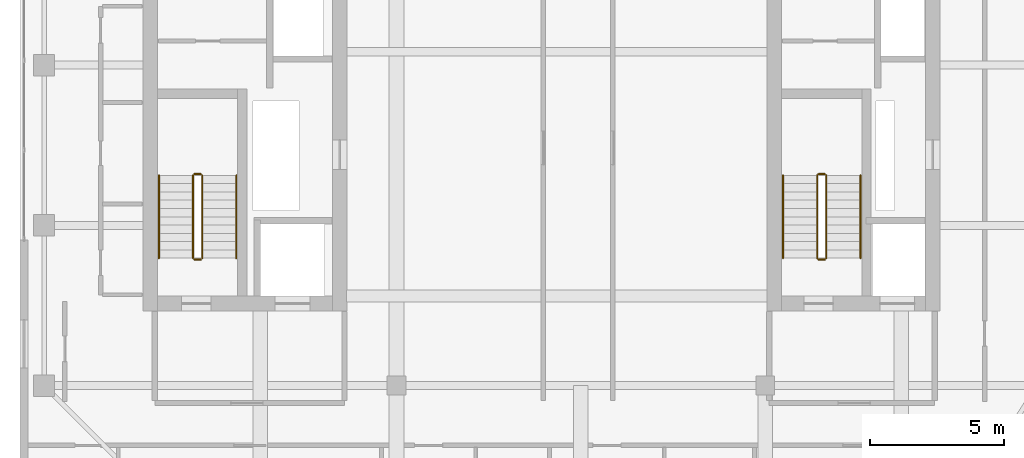
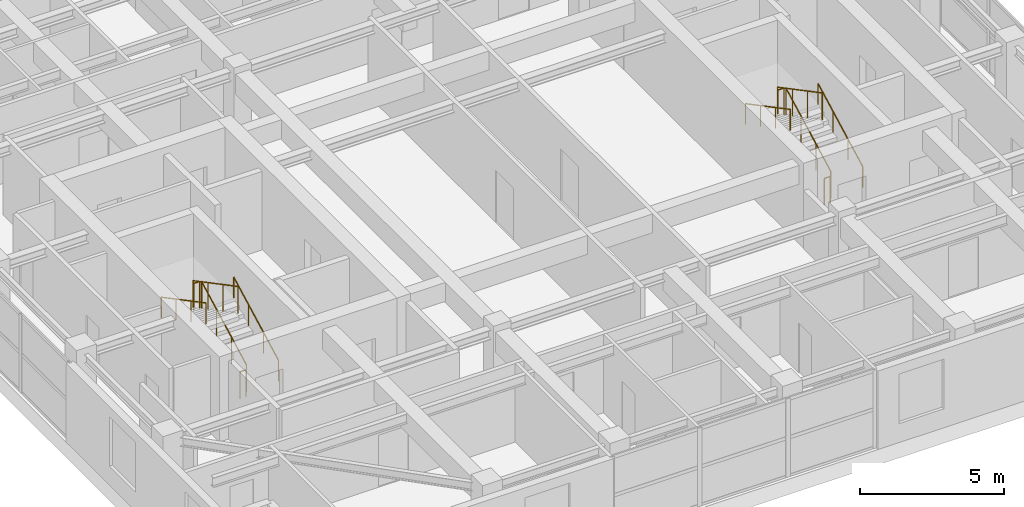
# One storey, part 21 of 21: 12 railings.
"""IFC4 building model written with IfcOpenShell, lengths in metres."""

from ifc_helpers import new_model, si_unit, direction, frame, origin, origin_2d, place, context, subcontext, project, spatial, circle, extrude, material, type_object, element, save


model = new_model("IFC4")

# Units and contexts
model_context = context("Model", 3, precision=1e-05, world=origin(), true_north=direction((0.0, 1.0)))
body_context = subcontext(model_context, "Body", "Model", "MODEL_VIEW")
ifc_project = project(units=[si_unit("LENGTHUNIT", "METRE"), si_unit("AREAUNIT", "SQUARE_METRE"), si_unit("VOLUMEUNIT", "CUBIC_METRE"), si_unit("PLANEANGLEUNIT", "RADIAN"), si_unit("MASSUNIT", "GRAM", prefix="KILO")], contexts=[model_context])

# Site, building, storey
site_placement = place(None, origin())
site = spatial("IfcSite", under=ifc_project, at=site_placement, CompositionType="ELEMENT")
building_placement = place(site_placement, origin())
building = spatial("IfcBuilding", under=site, at=building_placement, Name="Khoralis Quay Care Tower", CompositionType="ELEMENT")
storey_placement = place(building_placement, frame((0.0, 0.0, 267.300048828125)))
storey = spatial("IfcBuildingStorey", under=building, at=storey_placement, Name="L70", CompositionType="ELEMENT", Elevation=267.300048828125)

# Railings
ifc_material = material(Name="Brushed stainless steel", Category="steel")
railing_type_1 = type_object("IfcRailingType", Name="RL-GUARD-1150", PredefinedType="GUARDRAIL", material=ifc_material)
railing_1_placement = place(storey_placement, frame((9.820068359375, 16.77001953125, 0.16357421875)))
element("IfcRailing", 1, at=railing_1_placement, inside=storey, type_object=railing_type_1, Name="L70 ST-T1 stair guard 1", PredefinedType="GUARDRAIL", context=body_context, shape_type="SweptSolid", body=[
    extrude(circle(Radius=0.02392578125, at=origin_2d()), frame((0.0, 0.0, 1.1259765625), z_axis=(0.0, 0.884348015382, 0.466828220752), x_axis=(-1.0, 0.0, 0.0)), (0.0, 0.0, 1.0), 3.505615234375),
    extrude(circle(Radius=0.02099609375, at=origin_2d()), origin(), (0.0, 0.0, 1.0), 1.101806640625),
    extrude(circle(Radius=0.02099609375, at=origin_2d()), frame((0.0, 1.033447265625, 0.54541015625)), (0.0, 0.0, 1.0), 1.101806640625),
    extrude(circle(Radius=0.02099609375, at=origin_2d()), frame((0.0, 2.066650390625, 1.091064453125)), (0.0, 0.0, 1.0), 1.101806640625),
    extrude(circle(Radius=0.02099609375, at=origin_2d()), frame((0.0, 3.10009765625, 1.636474609375)), (0.0, 0.0, 1.0), 1.101806640625),
])
railing_2_placement = place(storey_placement, frame((9.77001953125, 19.919921875, 1.800048828125)))
element("IfcRailing", 2, at=railing_2_placement, inside=storey, type_object=railing_type_1, Name="L70 ST-T1 stair guard 2", PredefinedType="GUARDRAIL", context=body_context, shape_type="SweptSolid", body=[
    extrude(circle(Radius=0.02392578125, at=origin_2d()), frame((0.0, 0.0, 1.1259765625), z_axis=(-1.0, 0.0, 0.0), x_axis=(0.0, -1.0, 0.0)), (0.0, 0.0, 1.0), 0.239990234375),
    extrude(circle(Radius=0.02099609375, at=origin_2d()), origin(), (0.0, 0.0, 1.0), 1.101806640625),
    extrude(circle(Radius=0.02099609375, at=origin_2d()), frame((-0.239990234375, 0.0, 0.0)), (0.0, 0.0, 1.0), 1.101806640625),
])
railing_3_placement = place(storey_placement, frame((9.47998046875, 19.8701171875, 1.963623046875)))
element("IfcRailing", 3, at=railing_3_placement, inside=storey, type_object=railing_type_1, Name="L70 ST-T1 stair guard 3", PredefinedType="GUARDRAIL", context=body_context, shape_type="SweptSolid", body=[
    extrude(circle(Radius=0.02392578125, at=origin_2d()), frame((0.0, 0.0, 1.1259765625), z_axis=(0.0, -0.884376766648, 0.46677375099), x_axis=(1.0, 0.0, 0.0)), (0.0, 0.0, 1.0), 3.50537109375),
    extrude(circle(Radius=0.02099609375, at=origin_2d()), origin(), (0.0, 0.0, 1.0), 1.101806640625),
    extrude(circle(Radius=0.02099609375, at=origin_2d()), frame((0.0, -1.033447265625, 0.54541015625)), (0.0, 0.0, 1.0), 1.101806640625),
    extrude(circle(Radius=0.02099609375, at=origin_2d()), frame((0.0, -2.066650390625, 1.0908203125)), (0.0, 0.0, 1.0), 1.101806640625),
    extrude(circle(Radius=0.02099609375, at=origin_2d()), frame((0.0, -3.10009765625, 1.63623046875)), (0.0, 0.0, 1.0), 1.101806640625),
])
railing_4_placement = place(storey_placement, frame((9.77001953125, 16.719970703125, 0.0)))
element("IfcRailing", 4, at=railing_4_placement, inside=storey, type_object=railing_type_1, Name="L70 ST-T1 stair guard 4", PredefinedType="GUARDRAIL", context=body_context, shape_type="SweptSolid", body=[
    extrude(circle(Radius=0.02392578125, at=origin_2d()), frame((0.0, 0.0, 1.1259765625), z_axis=(-1.0, 0.0, 0.0), x_axis=(0.0, -1.0, 0.0)), (0.0, 0.0, 1.0), 0.239990234375),
    extrude(circle(Radius=0.02099609375, at=origin_2d()), origin(), (0.0, 0.0, 1.0), 1.101806640625),
    extrude(circle(Radius=0.02099609375, at=origin_2d()), frame((-0.239990234375, 0.0, 0.0)), (0.0, 0.0, 1.0), 1.101806640625),
])
railing_5_placement = place(storey_placement, frame((33.18994140625, 16.77001953125, 0.16357421875)))
element("IfcRailing", 5, at=railing_5_placement, inside=storey, type_object=railing_type_1, Name="L70 ST-T2 stair guard 1", PredefinedType="GUARDRAIL", context=body_context, shape_type="SweptSolid", body=[
    extrude(circle(Radius=0.02392578125, at=origin_2d()), frame((0.0, 0.0, 1.1259765625), z_axis=(0.0, 0.884348015382, 0.466828220752), x_axis=(-1.0, 0.0, 0.0)), (0.0, 0.0, 1.0), 3.505615234375),
    extrude(circle(Radius=0.02099609375, at=origin_2d()), origin(), (0.0, 0.0, 1.0), 1.101806640625),
    extrude(circle(Radius=0.02099609375, at=origin_2d()), frame((0.0, 1.033447265625, 0.54541015625)), (0.0, 0.0, 1.0), 1.101806640625),
    extrude(circle(Radius=0.02099609375, at=origin_2d()), frame((0.0, 2.066650390625, 1.091064453125)), (0.0, 0.0, 1.0), 1.101806640625),
    extrude(circle(Radius=0.02099609375, at=origin_2d()), frame((0.0, 3.10009765625, 1.636474609375)), (0.0, 0.0, 1.0), 1.101806640625),
])
railing_6_placement = place(storey_placement, frame((33.139892578125, 19.919921875, 1.800048828125)))
element("IfcRailing", 6, at=railing_6_placement, inside=storey, type_object=railing_type_1, Name="L70 ST-T2 stair guard 2", PredefinedType="GUARDRAIL", context=body_context, shape_type="SweptSolid", body=[
    extrude(circle(Radius=0.02392578125, at=origin_2d()), frame((0.0, 0.0, 1.1259765625), z_axis=(-1.0, 0.0, 0.0), x_axis=(0.0, -1.0, 0.0)), (0.0, 0.0, 1.0), 0.239990234375),
    extrude(circle(Radius=0.02099609375, at=origin_2d()), origin(), (0.0, 0.0, 1.0), 1.101806640625),
    extrude(circle(Radius=0.02099609375, at=origin_2d()), frame((-0.239990234375, 0.0, 0.0)), (0.0, 0.0, 1.0), 1.101806640625),
])
railing_7_placement = place(storey_placement, frame((32.85009765625, 19.8701171875, 1.963623046875)))
element("IfcRailing", 7, at=railing_7_placement, inside=storey, type_object=railing_type_1, Name="L70 ST-T2 stair guard 3", PredefinedType="GUARDRAIL", context=body_context, shape_type="SweptSolid", body=[
    extrude(circle(Radius=0.02392578125, at=origin_2d()), frame((0.0, 0.0, 1.1259765625), z_axis=(0.0, -0.884376766648, 0.46677375099), x_axis=(1.0, 0.0, 0.0)), (0.0, 0.0, 1.0), 3.50537109375),
    extrude(circle(Radius=0.02099609375, at=origin_2d()), origin(), (0.0, 0.0, 1.0), 1.101806640625),
    extrude(circle(Radius=0.02099609375, at=origin_2d()), frame((0.0, -1.033447265625, 0.54541015625)), (0.0, 0.0, 1.0), 1.101806640625),
    extrude(circle(Radius=0.02099609375, at=origin_2d()), frame((0.0, -2.066650390625, 1.0908203125)), (0.0, 0.0, 1.0), 1.101806640625),
    extrude(circle(Radius=0.02099609375, at=origin_2d()), frame((0.0, -3.10009765625, 1.63623046875)), (0.0, 0.0, 1.0), 1.101806640625),
])
railing_8_placement = place(storey_placement, frame((33.139892578125, 16.719970703125, 0.0)))
element("IfcRailing", 8, at=railing_8_placement, inside=storey, type_object=railing_type_1, Name="L70 ST-T2 stair guard 4", PredefinedType="GUARDRAIL", context=body_context, shape_type="SweptSolid", body=[
    extrude(circle(Radius=0.02392578125, at=origin_2d()), frame((0.0, 0.0, 1.1259765625), z_axis=(-1.0, 0.0, 0.0), x_axis=(0.0, -1.0, 0.0)), (0.0, 0.0, 1.0), 0.239990234375),
    extrude(circle(Radius=0.02099609375, at=origin_2d()), origin(), (0.0, 0.0, 1.0), 1.101806640625),
    extrude(circle(Radius=0.02099609375, at=origin_2d()), frame((-0.239990234375, 0.0, 0.0)), (0.0, 0.0, 1.0), 1.101806640625),
])
railing_type_2 = type_object("IfcRailingType", Name="RL-HAND-900", PredefinedType="HANDRAIL", material=ifc_material)
railing_9_placement = place(storey_placement, frame((11.10009765625, 16.77001953125, 0.16357421875)))
element("IfcRailing", 9, at=railing_9_placement, inside=storey, type_object=railing_type_2, Name="L70 ST-T1 stair handrail 1", PredefinedType="HANDRAIL", context=body_context, shape_type="SweptSolid", body=[
    extrude(circle(Radius=0.02392578125, at=origin_2d()), frame((0.0, 0.0, 0.8759765625), z_axis=(0.0, 0.884348015382, 0.466828220752), x_axis=(-1.0, 0.0, 0.0)), (0.0, 0.0, 1.0), 3.505615234375),
    extrude(circle(Radius=0.02099609375, at=origin_2d()), origin(), (0.0, 0.0, 1.0), 0.851806640625),
    extrude(circle(Radius=0.02099609375, at=origin_2d()), frame((0.0, 1.033447265625, 0.54541015625)), (0.0, 0.0, 1.0), 0.851806640625),
    extrude(circle(Radius=0.02099609375, at=origin_2d()), frame((0.0, 2.066650390625, 1.091064453125)), (0.0, 0.0, 1.0), 0.851806640625),
    extrude(circle(Radius=0.02099609375, at=origin_2d()), frame((0.0, 3.10009765625, 1.636474609375)), (0.0, 0.0, 1.0), 0.851806640625),
])
railing_10_placement = place(storey_placement, frame((8.199951171875, 19.8701171875, 1.963623046875)))
element("IfcRailing", 10, at=railing_10_placement, inside=storey, type_object=railing_type_2, Name="L70 ST-T1 stair handrail 2", PredefinedType="HANDRAIL", context=body_context, shape_type="SweptSolid", body=[
    extrude(circle(Radius=0.02392578125, at=origin_2d()), frame((0.0, 0.0, 0.8759765625), z_axis=(0.0, -0.884376766648, 0.46677375099), x_axis=(1.0, 0.0, 0.0)), (0.0, 0.0, 1.0), 3.50537109375),
    extrude(circle(Radius=0.02099609375, at=origin_2d()), origin(), (0.0, 0.0, 1.0), 0.851806640625),
    extrude(circle(Radius=0.02099609375, at=origin_2d()), frame((0.0, -1.033447265625, 0.54541015625)), (0.0, 0.0, 1.0), 0.851806640625),
    extrude(circle(Radius=0.02099609375, at=origin_2d()), frame((0.0, -2.066650390625, 1.0908203125)), (0.0, 0.0, 1.0), 0.851806640625),
    extrude(circle(Radius=0.02099609375, at=origin_2d()), frame((0.0, -3.10009765625, 1.63623046875)), (0.0, 0.0, 1.0), 0.851806640625),
])
railing_11_placement = place(storey_placement, frame((34.469970703125, 16.77001953125, 0.16357421875)))
element("IfcRailing", 11, at=railing_11_placement, inside=storey, type_object=railing_type_2, Name="L70 ST-T2 stair handrail 1", PredefinedType="HANDRAIL", context=body_context, shape_type="SweptSolid", body=[
    extrude(circle(Radius=0.02392578125, at=origin_2d()), frame((0.0, 0.0, 0.8759765625), z_axis=(0.0, 0.884348015382, 0.466828220752), x_axis=(-1.0, 0.0, 0.0)), (0.0, 0.0, 1.0), 3.505615234375),
    extrude(circle(Radius=0.02099609375, at=origin_2d()), origin(), (0.0, 0.0, 1.0), 0.851806640625),
    extrude(circle(Radius=0.02099609375, at=origin_2d()), frame((0.0, 1.033447265625, 0.54541015625)), (0.0, 0.0, 1.0), 0.851806640625),
    extrude(circle(Radius=0.02099609375, at=origin_2d()), frame((0.0, 2.066650390625, 1.091064453125)), (0.0, 0.0, 1.0), 0.851806640625),
    extrude(circle(Radius=0.02099609375, at=origin_2d()), frame((0.0, 3.10009765625, 1.636474609375)), (0.0, 0.0, 1.0), 0.851806640625),
])
railing_12_placement = place(storey_placement, frame((31.570068359375, 19.8701171875, 1.963623046875)))
element("IfcRailing", 12, at=railing_12_placement, inside=storey, type_object=railing_type_2, Name="L70 ST-T2 stair handrail 2", PredefinedType="HANDRAIL", context=body_context, shape_type="SweptSolid", body=[
    extrude(circle(Radius=0.02392578125, at=origin_2d()), frame((0.0, 0.0, 0.8759765625), z_axis=(0.0, -0.884376766648, 0.46677375099), x_axis=(1.0, 0.0, 0.0)), (0.0, 0.0, 1.0), 3.50537109375),
    extrude(circle(Radius=0.02099609375, at=origin_2d()), origin(), (0.0, 0.0, 1.0), 0.851806640625),
    extrude(circle(Radius=0.02099609375, at=origin_2d()), frame((0.0, -1.033447265625, 0.54541015625)), (0.0, 0.0, 1.0), 0.851806640625),
    extrude(circle(Radius=0.02099609375, at=origin_2d()), frame((0.0, -2.066650390625, 1.0908203125)), (0.0, 0.0, 1.0), 0.851806640625),
    extrude(circle(Radius=0.02099609375, at=origin_2d()), frame((0.0, -3.10009765625, 1.63623046875)), (0.0, 0.0, 1.0), 0.851806640625),
])

save(model, "model.ifc")
